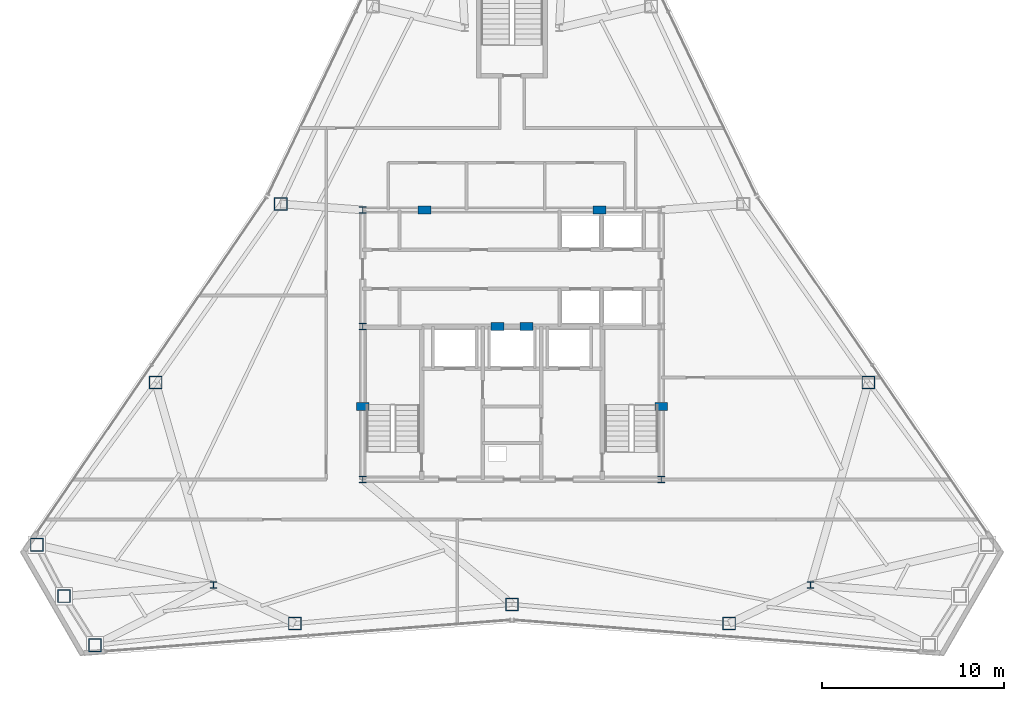
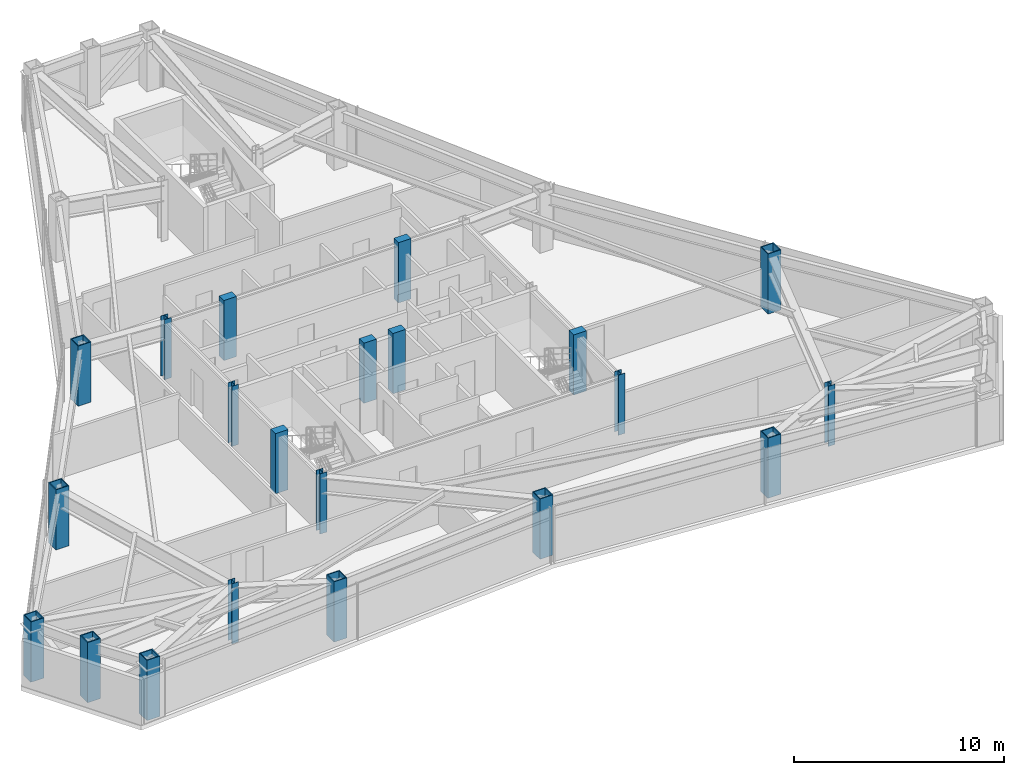
# One storey, part 1 of 11: 21 columns.
"""IFC4 building model written with IfcOpenShell, lengths in metres."""

import ifcopenshell
import ifcopenshell.guid

model = None  # the IFC model being written
_history = None  # IfcOwnerHistory: only IFC2X3 demands one
_inside = {}  # id of a spatial element -> (the spatial element, [elements in it])
_under = {}  # id of a project, library or spatial element -> (it, [spatial elements below it])
_declared = {}  # id of a project -> (the project, [libraries it declares])
_typed = {}  # id of a type object -> (the type object, [elements of that type])
_made_of = {}  # id of a material, layer set ... -> (it, [elements and type objects made of it])


def new_model(schema):
    """Start an empty IFC model of exactly this schema.

    Asked for "IFC4X3", IfcOpenShell would pick the latest addendum, in which some entities
    have other attributes; the version numbers below select the first issue.
    IFC2X3 requires an IfcOwnerHistory on every rooted entity: one is made here for all.
    """
    global model, _history
    if schema == "IFC4X3":
        model = ifcopenshell.file(schema_version=(4, 3, 0, 0))
    else:
        model = ifcopenshell.file(schema=schema)
    _inside.clear()
    _under.clear()
    _declared.clear()
    _typed.clear()
    _made_of.clear()
    _history = None
    if model.schema == "IFC2X3":
        org = make("IfcOrganization", Name="unknown")
        user = make(
            "IfcPersonAndOrganization",
            ThePerson=make("IfcPerson", FamilyName="unknown"),
            TheOrganization=org,
        )
        app = make(
            "IfcApplication",
            ApplicationDeveloper=org,
            Version="unknown",
            ApplicationFullName="unknown",
            ApplicationIdentifier="unknown",
        )
        _history = make(
            "IfcOwnerHistory",
            OwningUser=user,
            OwningApplication=app,
            ChangeAction="ADDED",
            CreationDate=0,
        )
    return model


def make(cls, **values):
    """One entity of the class cls with the attributes given. An attribute that is None is left unset."""
    return model.create_entity(
        cls, **{name: value for name, value in values.items() if value is not None}
    )


def rooted(cls, **values):
    """An entity with a GlobalId (a new one), such as an element, a storey or a relation."""
    return make(cls, GlobalId=ifcopenshell.guid.new(), OwnerHistory=_history, **values)


def si_unit(unit_type, name, prefix=None):
    """IfcSIUnit, for example si_unit("LENGTHUNIT", "METRE", prefix="MILLI")."""
    return make("IfcSIUnit", UnitType=unit_type, Prefix=prefix, Name=name)


def assignment(units):
    """IfcUnitAssignment: the units of a project."""
    return None if units is None else make("IfcUnitAssignment", Units=units)


def point(xyz):
    """IfcCartesianPoint."""
    return None if xyz is None else make("IfcCartesianPoint", Coordinates=xyz)


def direction(xyz):
    """IfcDirection."""
    return None if xyz is None else make("IfcDirection", DirectionRatios=xyz)


def frame(location, z_axis=None, x_axis=None):
    """IfcAxis2Placement3D, a coordinate frame: its origin and axes. An axis left out is left unset."""
    return make(
        "IfcAxis2Placement3D",
        Location=point(location),
        Axis=direction(z_axis),
        RefDirection=direction(x_axis),
    )


def frame_2d(location, x_axis=None):
    """IfcAxis2Placement2D, a coordinate frame in the plane: its origin and x axis."""
    return make(
        "IfcAxis2Placement2D", Location=point(location), RefDirection=direction(x_axis)
    )


def origin():
    """The frame at (0, 0, 0) with its axes left unset."""
    return frame((0.0, 0.0, 0.0))


def origin_2d():
    """The frame at (0, 0) in the plane with its x axis left unset."""
    return frame_2d((0.0, 0.0))


def place(relative_to, where):
    """IfcLocalPlacement: puts the frame where relative to a parent placement (None: the world)."""
    return make(
        "IfcLocalPlacement", PlacementRelTo=relative_to, RelativePlacement=where
    )


def context(
    kind, dimensions, precision=None, world=None, true_north=None, identifier=None
):
    """IfcGeometricRepresentationContext, for example the 3D "Model" context."""
    return make(
        "IfcGeometricRepresentationContext",
        ContextIdentifier=identifier,
        ContextType=kind,
        CoordinateSpaceDimension=dimensions,
        Precision=precision,
        WorldCoordinateSystem=world,
        TrueNorth=true_north,
    )


def subcontext(parent, identifier, kind, view, scale=None):
    """IfcGeometricRepresentationSubContext, for example "Body" below "Model"."""
    return make(
        "IfcGeometricRepresentationSubContext",
        ContextIdentifier=identifier,
        ContextType=kind,
        ParentContext=parent,
        TargetScale=scale,
        TargetView=view,
    )


def project(units=None, contexts=None):
    """IfcProject with its units and contexts."""
    return rooted(
        "IfcProject",
        Name="project",
        RepresentationContexts=contexts,
        UnitsInContext=assignment(units),
    )


def spatial(cls, under=None, at=None, **own):
    """A site, building, storey or space (cls), placed at a placement, below another one or the project."""
    s = rooted(cls, ObjectPlacement=at, **own)
    if under is not None:
        _under.setdefault(under.id(), (under, []))[1].append(s)
    return s


def profile(cls, at=None, kind="AREA", **sizes):
    """A parametric profile (cls). Its sizes go by their IFC names, for example OverallWidth=200.0."""
    return make(cls, ProfileType=kind, Position=at, **sizes)


def rectangle(**sizes):
    """IfcRectangleProfileDef."""
    return profile("IfcRectangleProfileDef", **sizes)


def hollow_rectangle(**sizes):
    """IfcRectangleHollowProfileDef."""
    return profile("IfcRectangleHollowProfileDef", **sizes)


def i_section(**sizes):
    """IfcIShapeProfileDef."""
    return profile("IfcIShapeProfileDef", **sizes)


def extrude(swept, where, along, depth):
    """IfcExtrudedAreaSolid: the profile swept, set in the frame where, extruded along a direction by depth."""
    return make(
        "IfcExtrudedAreaSolid",
        SweptArea=swept,
        Position=where,
        ExtrudedDirection=direction(along),
        Depth=depth,
    )


def shape(context_of_items, identifier, shape_type, items):
    """IfcShapeRepresentation: the items that make up one representation, for example the "Body"."""
    return make(
        "IfcShapeRepresentation",
        ContextOfItems=context_of_items,
        RepresentationIdentifier=identifier,
        RepresentationType=shape_type,
        Items=items,
    )


def material(Name=None, Category=None):
    """IfcMaterial."""
    return make("IfcMaterial", Name=Name, Category=Category)


def material_profile(
    of_material, cross_section, Name=None, Category=None, Priority=None
):
    """IfcMaterialProfile: a cross section and its material."""
    return make(
        "IfcMaterialProfile",
        Name=Name,
        Material=of_material,
        Profile=cross_section,
        Priority=Priority,
        Category=Category,
    )


def profile_set(profiles, Name=None, composite=None):
    """IfcMaterialProfileSet."""
    return make(
        "IfcMaterialProfileSet",
        Name=Name,
        MaterialProfiles=profiles,
        CompositeProfile=composite,
    )


def made_of(thing, what):
    """Note that an element or type object is made of a material, layer set ...; save() writes the relation."""
    if what is not None:
        _made_of.setdefault(what.id(), (what, []))[1].append(thing)
    return thing


def type_object(cls, material=None, **own):
    """A type object (cls), such as IfcWallType, which elements share."""
    return made_of(rooted(cls, **own), material)


def element(
    cls,
    number,
    at=None,
    inside=None,
    cuts=None,
    type_object=None,
    material=None,
    context=None,
    identifier="Body",
    shape_type=None,
    held_by="IfcProductDefinitionShape",
    body=None,
    shapes=None,
    **own,
):
    """One element of the class cls, such as IfcWall. Its Tag is "e" and its number.

    at: its placement. inside: the storey or other place that contains it. cuts: it is an
    opening in that element (IfcRelVoidsElement). A single representation is given by context,
    identifier, shape_type and body (its items); several are given by shapes. held_by: the class
    of the entity that holds the representations. save() writes the other relations.
    """
    e = rooted(cls, Tag="e%d" % number, ObjectPlacement=at, **own)
    if body is not None:
        shapes = [shape(context, identifier, shape_type, body)]
    if shapes is not None:
        e.Representation = make(held_by, Representations=shapes)
    if inside is not None:
        _inside.setdefault(inside.id(), (inside, []))[1].append(e)
    if cuts is not None:
        rooted(
            "IfcRelVoidsElement", RelatingBuildingElement=cuts, RelatedOpeningElement=e
        )
    if type_object is not None:
        _typed.setdefault(type_object.id(), (type_object, []))[1].append(e)
    return made_of(e, material)


def aggregate(whole, parts):
    """IfcRelAggregates: a whole, such as a stair, and the parts it consists of."""
    return rooted("IfcRelAggregates", RelatingObject=whole, RelatedObjects=parts)


def save(model, path):
    """Write the relations noted so far, then the file.

    IfcRelAggregates (storeys below a building ...), IfcRelContainedInSpatialStructure (elements
    in a storey), IfcRelDefinesByType, IfcRelAssociatesMaterial and IfcRelDeclares: one each for
    every whole, place, type object, material and project.
    """
    for whole, parts in _under.values():
        aggregate(whole, parts)
    for where, things in _inside.values():
        rooted(
            "IfcRelContainedInSpatialStructure",
            RelatedElements=things,
            RelatingStructure=where,
        )
    for kind, things in _typed.values():
        rooted("IfcRelDefinesByType", RelatedObjects=things, RelatingType=kind)
    for what, things in _made_of.values():
        rooted("IfcRelAssociatesMaterial", RelatedObjects=things, RelatingMaterial=what)
    for by, libraries in _declared.values():
        rooted("IfcRelDeclares", RelatingContext=by, RelatedDefinitions=libraries)
    model.write(path)


model = new_model("IFC4")

# Units and contexts
model_context = context("Model", 3, precision=1e-05, world=origin(), true_north=direction((0.0, 1.0)))
body_context = subcontext(model_context, "Body", "Model", "MODEL_VIEW")
ifc_project = project(units=[si_unit("LENGTHUNIT", "METRE"), si_unit("AREAUNIT", "SQUARE_METRE"), si_unit("VOLUMEUNIT", "CUBIC_METRE"), si_unit("PLANEANGLEUNIT", "RADIAN"), si_unit("MASSUNIT", "GRAM", prefix="KILO")], contexts=[model_context])

# Site, building, storey
site_placement = place(None, origin())
site = spatial("IfcSite", under=ifc_project, at=site_placement, CompositionType="ELEMENT")
building_placement = place(site_placement, origin())
building = spatial("IfcBuilding", under=site, at=building_placement, Name="Varakhsha Concourse Tower", CompositionType="ELEMENT")
storey_placement = place(building_placement, frame((0.0, 0.0, 215.39990234375)))
storey = spatial("IfcBuildingStorey", under=building, at=storey_placement, Name="L61", CompositionType="ELEMENT", Elevation=215.39990234375)

# Columns
ifc_material_1 = material(Name="Structural Steel ASTM A992 Grade 50", Category="steel")
ifc_material_profile_1 = material_profile(ifc_material_1, i_section(OverallWidth=0.3740234375, OverallDepth=0.3720703125, WebThickness=0.01611328125, FlangeThickness=0.02587890625, at=origin_2d()), Name="W14X132")
ifc_profile_set_1 = profile_set([ifc_material_profile_1], Name="Structural Steel ASTM A992 Grade 50")
column_type_1 = type_object("IfcColumnType", Name="CL-CORE-W14X132", PredefinedType="COLUMN", material=ifc_profile_set_1)
for number, where, z_axis, x_axis, name in (
    (1, (31.800048828125, 16.39990234375, 0.0), (0.0, 0.0, 1.0), (1.0, 0.0, 0.0), "L61 Core Column CC-SW"),
    (2, (48.199951171875, 16.39990234375, 0.0), (0.0, 0.0, 1.0), (1.0, 0.0, 0.0), "L61 Core Column CC-SE"),
    (3, (31.800048828125, 24.800048828125, 0.0), (0.0, 0.0, 1.0), (1.0, 0.0, 0.0), "L61 Core Column CC-MW"),
    (4, (31.800048828125, 31.199951171875, 0.0), (0.0, 0.0, 1.0), (1.0, 0.0, 0.0), "L61 Core Column CC-NW"),
    (5, (23.60009765625, 10.60009765625, 0.0), (0.0, 0.0, 1.0), (1.0, 0.0, 0.0), "L61 Core Column SS-W"),
    (6, (56.39990234375, 10.60009765625, 0.0), (0.0, 0.0, 1.0), (1.0, 0.0, 0.0), "L61 Core Column SS-E"),
):
    element("IfcColumn", number, at=place(storey_placement, frame(where, z_axis=z_axis, x_axis=x_axis)), inside=storey, type_object=column_type_1, Name=name, PredefinedType="COLUMN", context=body_context, shape_type="SweptSolid", body=[
        extrude(i_section(OverallWidth=0.3740234375, OverallDepth=0.3720703125, WebThickness=0.01611328125, FlangeThickness=0.02587890625, at=origin_2d()), origin(), (0.0, 0.0, 1.0), 3.5),
    ])
ifc_material_2 = material(Name="Concrete fc 65 MPa", Category="concrete")
ifc_material_profile_2 = material_profile(ifc_material_2, rectangle(XDim=0.699951171875, YDim=0.449951171875, at=origin_2d()), Name="RC 700x450")
ifc_profile_set_2 = profile_set([ifc_material_profile_2], Name="Concrete fc 65 MPa")
column_type_2 = type_object("IfcColumnType", Name="CL-PIL-700X450", PredefinedType="PILASTER", material=ifc_profile_set_2)
for number, where, z_axis, x_axis, name in (
    (7, (31.800048828125, 20.39990234375, 0.0), (0.0, 0.0, 1.0), (1.0, 0.0, 0.0), "L61 Core Boundary Pilaster PIL-W1"),
    (8, (48.199951171875, 20.39990234375, 0.0), (0.0, 0.0, 1.0), (1.0, 0.0, 0.0), "L61 Core Boundary Pilaster PIL-E1"),
    (9, (35.199951171875, 31.199951171875, 0.0), (0.0, 0.0, 1.0), (1.0, 0.0, 0.0), "L61 Core Boundary Pilaster PIL-N1"),
    (10, (44.800048828125, 31.199951171875, 0.0), (0.0, 0.0, 1.0), (1.0, 0.0, 0.0), "L61 Core Boundary Pilaster PIL-N2"),
    (11, (39.199951171875, 24.800048828125, 0.0), (0.0, 0.0, 1.0), (1.0, 0.0, 0.0), "L61 Core Boundary Pilaster PIL-M1"),
    (12, (40.800048828125, 24.800048828125, 0.0), (0.0, 0.0, 1.0), (1.0, 0.0, 0.0), "L61 Core Boundary Pilaster PIL-M2"),
):
    element("IfcColumn", number, at=place(storey_placement, frame(where, z_axis=z_axis, x_axis=x_axis)), inside=storey, type_object=column_type_2, Name=name, PredefinedType="PILASTER", context=body_context, shape_type="SweptSolid", body=[
        extrude(rectangle(XDim=0.699951171875, YDim=0.449951171875, at=origin_2d()), origin(), (0.0, 0.0, 1.0), 3.5),
    ])
ifc_material_3 = material(Name="Structural Steel ASTM A572 Grade 50", Category="steel")
ifc_material_profile_3 = material_profile(ifc_material_3, hollow_rectangle(XDim=0.719970703125, YDim=0.719970703125, WallThickness=0.050048828125, at=origin_2d()), Name="BOX 720x720x50")
ifc_profile_set_3 = profile_set([ifc_material_profile_3], Name="Structural Steel ASTM A572 Grade 50")
column_type_3 = type_object("IfcColumnType", Name="CL-TUBE-720", PredefinedType="COLUMN", material=ifc_profile_set_3)
for number, where, z_axis, x_axis, name in (
    (13, (27.301025390625, 31.53173828125, 0.0), (0.0, 0.0, 1.0), (1.0, 0.0, 0.0), "L61 Framed-Tube Column TC05"),
    (14, (20.427001953125, 21.72607421875, 0.0), (0.0, 0.0, 1.0), (1.0, 0.0, 0.0), "L61 Framed-Tube Column TC06"),
    (15, (13.905029296875, 12.813720703125, 0.0), (0.0, 0.0, 1.0), (1.0, 0.0, 0.0), "L61 Framed-Tube Column TC07"),
    (16, (15.3896484375, 9.9912109375, 0.0), (0.0, 0.0, 1.0), (1.0, 0.0, 0.0), "L61 Framed-Tube Column TC08"),
    (17, (17.091796875, 7.294189453125, 0.0), (0.0, 0.0, 1.0), (1.0, 0.0, 0.0), "L61 Framed-Tube Column TC09"),
    (18, (28.071044921875, 8.486328125, 0.0), (0.0, 0.0, 1.0), (1.0, 0.0, 0.0), "L61 Framed-Tube Column TC10"),
    (19, (40.0, 9.53662109375, 0.0), (0.0, 0.0, 1.0), (1.0, 0.0, 0.0), "L61 Framed-Tube Column TC11"),
    (20, (51.928955078125, 8.486328125, 0.0), (0.0, 0.0, 1.0), (1.0, 0.0, 0.0), "L61 Framed-Tube Column TC12"),
    (21, (59.572998046875, 21.72607421875, 0.0), (0.0, 0.0, 1.0), (1.0, 0.0, 0.0), "L61 Framed-Tube Column TC16"),
):
    element("IfcColumn", number, at=place(storey_placement, frame(where, z_axis=z_axis, x_axis=x_axis)), inside=storey, type_object=column_type_3, Name=name, PredefinedType="COLUMN", context=body_context, shape_type="SweptSolid", body=[
        extrude(hollow_rectangle(XDim=0.719970703125, YDim=0.719970703125, WallThickness=0.050048828125, at=origin_2d()), origin(), (0.0, 0.0, 1.0), 3.5),
    ])

save(model, "model.ifc")
